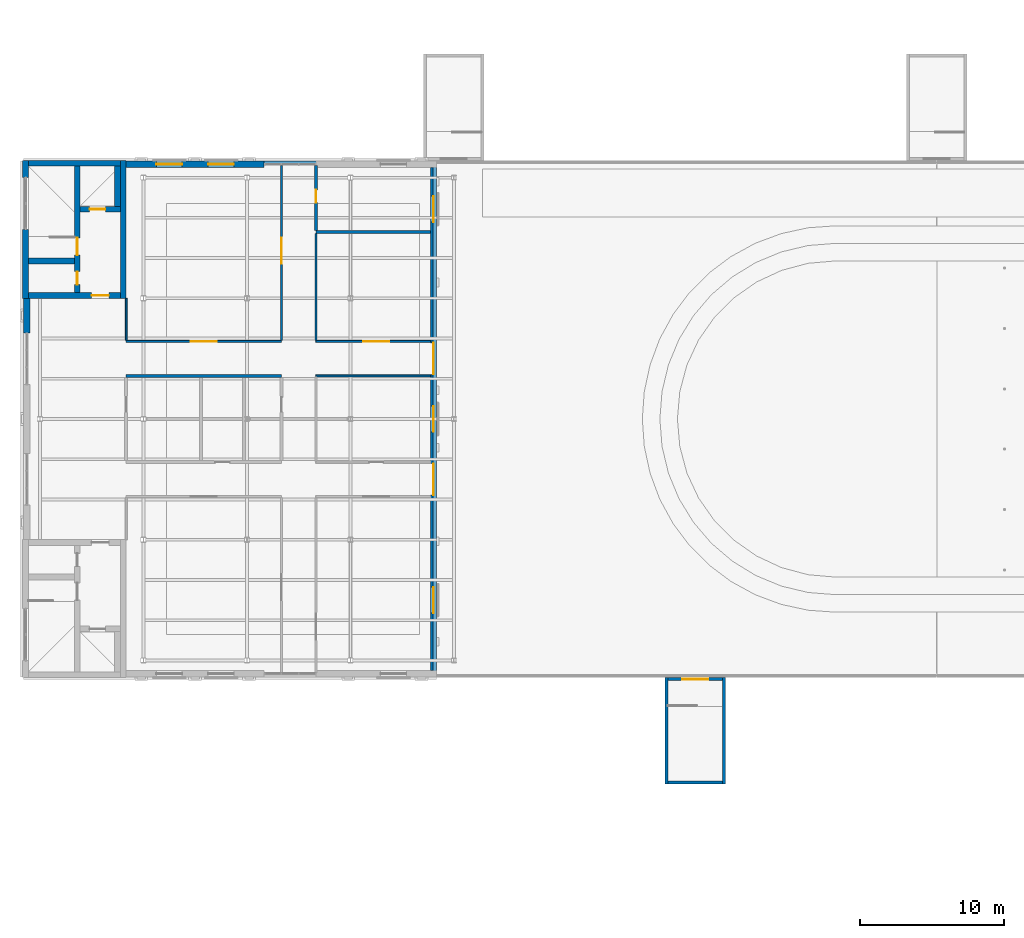
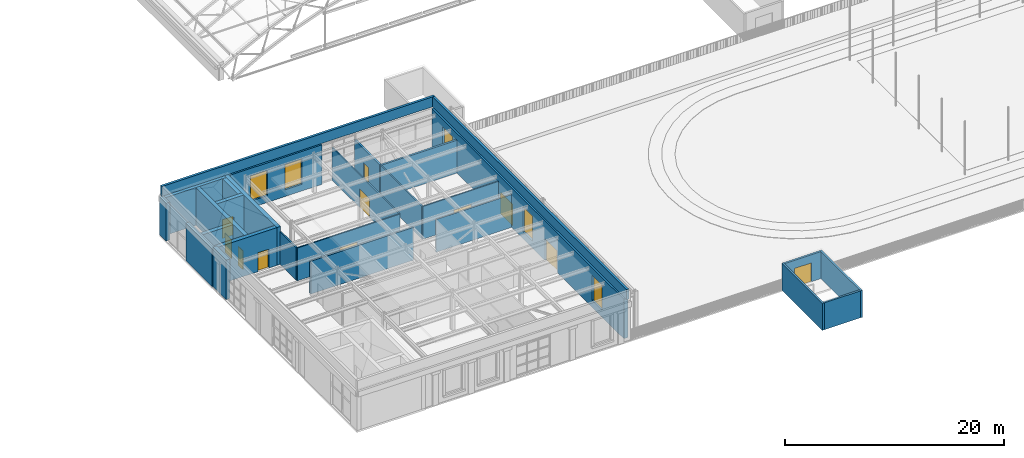
# One storey, part 72 of 127: 27 walls, 11 doors, 5 windows, 16 openings.
"""IFC4 building model written with IfcOpenShell, lengths in metres."""

from ifc_helpers import new_model, si_unit, direction, frame, frame_2d, origin, place, context, subcontext, project, spatial, rectangle, extrude, material, layer, layer_set, type_object, element, fill, save


model = new_model("IFC4")

# Units and contexts
model_context = context("Model", 3, precision=1e-05, world=origin(), true_north=direction((0.0, 1.0)))
body_context = subcontext(model_context, "Body", "Model", "MODEL_VIEW")
ifc_project = project(units=[si_unit("LENGTHUNIT", "METRE"), si_unit("AREAUNIT", "SQUARE_METRE"), si_unit("VOLUMEUNIT", "CUBIC_METRE"), si_unit("PLANEANGLEUNIT", "RADIAN"), si_unit("MASSUNIT", "GRAM", prefix="KILO")], contexts=[model_context])

# Site, building, storey
site_placement = place(None, origin())
site = spatial("IfcSite", under=ifc_project, at=site_placement, CompositionType="ELEMENT")
building_placement = place(site_placement, origin())
building = spatial("IfcBuilding", under=site, at=building_placement, Name="Verrick Yard Athletic Hall", CompositionType="ELEMENT")
storey_placement = place(building_placement, frame((0.0, 0.0, 14.0)))
storey = spatial("IfcBuildingStorey", under=building, at=storey_placement, Name="L03", CompositionType="ELEMENT", Elevation=14.0)

# Wall, openings, doors
ifc_material_1 = material(Name="Concrete 35 MPa", Category="concrete")
ifc_layer_1 = layer(ifc_material_1, 0.39990234375)
ifc_layer_set_1 = layer_set([ifc_layer_1], Name="Core wall CR400")
wall_type_1 = type_object("IfcWallType", Name="Core wall CR400", PredefinedType="SHEAR", material=ifc_layer_set_1)
wall_1_placement = place(storey_placement, frame((13.800048828125, 44.800048828125, 0.0), z_axis=(0.0, 0.0, 1.0), x_axis=(0.0, 1.0, 0.0)))
wall_1 = element("IfcWall", 1, at=wall_1_placement, inside=storey, type_object=wall_type_1, Name="CORE-CB2-WP-L03", PredefinedType="SHEAR", context=body_context, shape_type="SweptSolid", body=[
    extrude(rectangle(XDim=8.800048828125, YDim=0.39990234375, at=frame_2d((4.39990234375, 0.0))), origin(), (0.0, 0.0, 1.0), 4.199951171875),
])
opening_1_placement = place(wall_1_placement, frame((2.60009765625, 0.0, 0.0)))
opening_1 = element("IfcOpeningElement", 2, at=opening_1_placement, cuts=wall_1, Name="Opening SD1", PredefinedType="OPENING", context=body_context, shape_type="SweptSolid", body=[
    extrude(rectangle(XDim=1.199951171875, YDim=2.10009765625, at=frame_2d((0.60009765625, 1.050048828125))), frame((0.0, 0.2099609375, 0.0), z_axis=(0.0, -1.0, 0.0), x_axis=(1.0, 0.0, 0.0)), (0.0, 0.0, 1.0), 0.419921875),
])
opening_2_placement = place(wall_1_placement, frame((0.550048828125, 0.0, 0.0)))
opening_2 = element("IfcOpeningElement", 3, at=opening_2_placement, cuts=wall_1, Name="Opening RD1", PredefinedType="OPENING", context=body_context, shape_type="SweptSolid", body=[
    extrude(rectangle(XDim=0.89990234375, YDim=2.10009765625, at=frame_2d((0.449951171875, 1.050048828125))), frame((0.0, 0.2099609375, 0.0), z_axis=(0.0, -1.0, 0.0), x_axis=(1.0, 0.0, 0.0)), (0.0, 0.0, 1.0), 0.419921875),
])
ifc_material_2 = material(Name="Hollow metal door leaf")
door_type_1 = type_object("IfcDoorType", Name="Core door RD1 900x2100", OperationType="NOTDEFINED", PredefinedType="DOOR", material=ifc_material_2)
door_1_placement = place(opening_2_placement, origin())
door_1 = element("IfcDoor", 4, at=door_1_placement, inside=storey, type_object=door_type_1, Name="CORE-CB2-WP-L03-DRD1-4580", OperationType="SINGLE_SWING_RIGHT", OverallHeight=2.10009765625, OverallWidth=0.89990234375, PredefinedType="DOOR", context=body_context, shape_type="SweptSolid", body=[
    extrude(rectangle(XDim=0.89990234375, YDim=2.10009765625, at=frame_2d((0.449951171875, 1.050048828125))), frame((0.0, 0.02490234375, 0.0), z_axis=(0.0, -1.0, 0.0), x_axis=(1.0, 0.0, 0.0)), (0.0, 0.0, 1.0), 0.050048828125),
])
fill(opening_2, door_1)
door_type_2 = type_object("IfcDoorType", Name="Core door SD1 1200x2100", OperationType="NOTDEFINED", PredefinedType="DOOR", material=ifc_material_2)
door_2_placement = place(opening_1_placement, origin())
door_2 = element("IfcDoor", 5, at=door_2_placement, inside=storey, type_object=door_type_2, Name="CORE-CB2-WP-L03-DSD1-4800", OperationType="SINGLE_SWING_RIGHT", OverallHeight=2.10009765625, OverallWidth=1.199951171875, PredefinedType="DOOR", context=body_context, shape_type="SweptSolid", body=[
    extrude(rectangle(XDim=1.199951171875, YDim=2.10009765625, at=frame_2d((0.60009765625, 1.050048828125))), frame((0.0, 0.02490234375, 0.0), z_axis=(0.0, -1.0, 0.0), x_axis=(1.0, 0.0, 0.0)), (0.0, 0.0, 1.0), 0.050048828125),
])
fill(opening_1, door_2)

# Wall
wall_2_placement = place(storey_placement, frame((10.39990234375, 47.0, 0.0), z_axis=(0.0, 0.0, 1.0), x_axis=(1.0, 0.0, 0.0)))
element("IfcWall", 6, at=wall_2_placement, inside=storey, type_object=wall_type_1, Name="CORE-CB2-WSN-L03", PredefinedType="SHEAR", context=body_context, shape_type="SweptSolid", body=[
    extrude(rectangle(XDim=3.2001953125, YDim=0.39990234375, at=frame_2d((1.60009765625, 0.0))), origin(), (0.0, 0.0, 1.0), 4.199951171875),
])

# Wall, opening, door
wall_3_placement = place(storey_placement, frame((14.0, 50.60009765625, 0.0), z_axis=(0.0, 0.0, 1.0), x_axis=(1.0, 0.0, 0.0)))
wall_3 = element("IfcWall", 7, at=wall_3_placement, inside=storey, type_object=wall_type_1, Name="CORE-CB2-WLN-L03", PredefinedType="SHEAR", context=body_context, shape_type="SweptSolid", body=[
    extrude(rectangle(XDim=2.800048828125, YDim=0.39990234375, at=frame_2d((1.39990234375, 0.0))), origin(), (0.0, 0.0, 1.0), 4.199951171875),
])
opening_3_placement = place(wall_3_placement, frame((0.64990234375, 0.0, 0.0)))
opening_3 = element("IfcOpeningElement", 8, at=opening_3_placement, cuts=wall_3, Name="Opening LD", PredefinedType="OPENING", context=body_context, shape_type="SweptSolid", body=[
    extrude(rectangle(XDim=1.10009765625, YDim=2.10009765625, at=frame_2d((0.550048828125, 1.050048828125))), frame((0.0, 0.2099609375, 0.0), z_axis=(0.0, -1.0, 0.0), x_axis=(1.0, 0.0, 0.0)), (0.0, 0.0, 1.0), 0.419921875),
])
ifc_material_3 = material(Name="Stainless steel landing door", Category="steel")
door_type_3 = type_object("IfcDoorType", Name="Lift landing door LD 1100x2100", OperationType="NOTDEFINED", PredefinedType="DOOR", material=ifc_material_3)
door_3_placement = place(opening_3_placement, origin())
door_3 = element("IfcDoor", 9, at=door_3_placement, inside=storey, type_object=door_type_3, Name="Lift landing door", OperationType="SLIDING_TO_RIGHT", OverallHeight=2.10009765625, OverallWidth=1.10009765625, PredefinedType="DOOR", context=body_context, shape_type="SweptSolid", body=[
    extrude(rectangle(XDim=1.10009765625, YDim=2.10009765625, at=frame_2d((0.550048828125, 1.050048828125))), frame((0.0, 0.02490234375, 0.0), z_axis=(0.0, -1.0, 0.0), x_axis=(1.0, 0.0, 0.0)), (0.0, 0.0, 1.0), 0.050048828125),
])
fill(opening_3, door_3)

# Walls
wall_4_placement = place(storey_placement, frame((16.60009765625, 50.800048828125, 0.0), z_axis=(0.0, 0.0, 1.0), x_axis=(0.0, 1.0, 0.0)))
element("IfcWall", 10, at=wall_4_placement, inside=storey, type_object=wall_type_1, Name="CORE-CB2-WLE-L03", PredefinedType="SHEAR", context=body_context, shape_type="SweptSolid", body=[
    extrude(rectangle(XDim=2.800048828125, YDim=0.39990234375, at=frame_2d((1.39990234375, 0.0))), origin(), (0.0, 0.0, 1.0), 4.199951171875),
])
ifc_layer_2 = layer(ifc_material_1, 0.39990234375)
ifc_layer_set_2 = layer_set([ifc_layer_2], Name="External core wall CR400")
wall_type_2 = type_object("IfcWallType", Name="External core wall CR400", PredefinedType="SHEAR", material=ifc_layer_set_2)
wall_5_placement = place(storey_placement, frame((10.199951171875, 44.39990234375, 0.0), z_axis=(0.0, 0.0, 1.0), x_axis=(0.0, 1.0, 0.0)))
element("IfcWall", 11, at=wall_5_placement, inside=storey, type_object=wall_type_2, Name="CORE-CB2-WW-L03-0", PredefinedType="SHEAR", context=body_context, shape_type="SweptSolid", body=[
    extrude(rectangle(XDim=4.800048828125, YDim=0.39990234375, at=frame_2d((2.39990234375, 0.0))), origin(), (0.0, 0.0, 1.0), 4.199951171875),
])
wall_6_placement = place(storey_placement, frame((10.199951171875, 52.800048828125, 0.0), z_axis=(0.0, 0.0, 1.0), x_axis=(0.0, 1.0, 0.0)))
element("IfcWall", 12, at=wall_6_placement, inside=storey, type_object=wall_type_2, Name="CORE-CB2-WW-L03-1", PredefinedType="SHEAR", context=body_context, shape_type="SweptSolid", body=[
    extrude(rectangle(XDim=1.199951171875, YDim=0.39990234375, at=frame_2d((0.60009765625, 0.0))), origin(), (0.0, 0.0, 1.0), 4.199951171875),
])
wall_7_placement = place(storey_placement, frame((17.0, 44.39990234375, 0.0), z_axis=(0.0, 0.0, 1.0), x_axis=(0.0, 1.0, 0.0)))
element("IfcWall", 13, at=wall_7_placement, inside=storey, type_object=wall_type_2, Name="CORE-CB2-WE-L03", PredefinedType="SHEAR", context=body_context, shape_type="SweptSolid", body=[
    extrude(rectangle(XDim=9.60009765625, YDim=0.39990234375, at=frame_2d((4.800048828125, 0.0))), origin(), (0.0, 0.0, 1.0), 4.199951171875),
])
wall_8_placement = place(storey_placement, frame((10.39990234375, 53.800048828125, 0.0), z_axis=(0.0, 0.0, 1.0), x_axis=(1.0, 0.0, 0.0)))
element("IfcWall", 14, at=wall_8_placement, inside=storey, type_object=wall_type_2, Name="CORE-CB2-WS-L03", PredefinedType="SHEAR", context=body_context, shape_type="SweptSolid", body=[
    extrude(rectangle(XDim=6.400146484375, YDim=0.39990234375, at=frame_2d((3.2001953125, 0.0))), origin(), (0.0, 0.0, 1.0), 4.199951171875),
])

# Wall, opening, door
wall_9_placement = place(storey_placement, frame((10.39990234375, 44.60009765625, 0.0), z_axis=(0.0, 0.0, 1.0), x_axis=(1.0, 0.0, 0.0)))
wall_9 = element("IfcWall", 15, at=wall_9_placement, inside=storey, type_object=wall_type_2, Name="CORE-CB2-WN-L03", PredefinedType="SHEAR", context=body_context, shape_type="SweptSolid", body=[
    extrude(rectangle(XDim=6.400146484375, YDim=0.39990234375, at=frame_2d((3.2001953125, 0.0))), origin(), (0.0, 0.0, 1.0), 4.199951171875),
])
opening_4_placement = place(wall_9_placement, frame((4.39990234375, 0.0, 0.0)))
opening_4 = element("IfcOpeningElement", 16, at=opening_4_placement, cuts=wall_9, Name="Opening LB1", PredefinedType="OPENING", context=body_context, shape_type="SweptSolid", body=[
    extrude(rectangle(XDim=1.199951171875, YDim=2.10009765625, at=frame_2d((0.60009765625, 1.050048828125))), frame((0.0, 0.2099609375, 0.0), z_axis=(0.0, -1.0, 0.0), x_axis=(1.0, 0.0, 0.0)), (0.0, 0.0, 1.0), 0.419921875),
])
door_type_4 = type_object("IfcDoorType", Name="Core door LB1 1200x2100", OperationType="NOTDEFINED", PredefinedType="DOOR", material=ifc_material_2)
door_4_placement = place(opening_4_placement, origin())
door_4 = element("IfcDoor", 17, at=door_4_placement, inside=storey, type_object=door_type_4, Name="CORE-CB2-WN-L03-DLB1-1540", OperationType="SINGLE_SWING_RIGHT", OverallHeight=2.10009765625, OverallWidth=1.199951171875, PredefinedType="DOOR", context=body_context, shape_type="SweptSolid", body=[
    extrude(rectangle(XDim=1.199951171875, YDim=2.10009765625, at=frame_2d((0.60009765625, 1.050048828125))), frame((0.0, 0.02490234375, 0.0), z_axis=(0.0, -1.0, 0.0), x_axis=(1.0, 0.0, 0.0)), (0.0, 0.0, 1.0), 0.050048828125),
])
fill(opening_4, door_4)

# Walls
ifc_layer_3 = layer(ifc_material_1, 0.199951171875)
ifc_layer_set_3 = layer_set([ifc_layer_3], Name="External enclosure wall CR200")
wall_type_3 = type_object("IfcWallType", Name="External enclosure wall CR200", PredefinedType="SOLIDWALL", material=ifc_layer_set_3)
for number, where, z_axis, x_axis, name in (
    (18, (54.800048828125, 10.60009765625, 0.0), (0.0, 0.0, 1.0), (0.0, 1.0, 0.0), "CORE-DT-S1-WW-L03"),
    (19, (58.800048828125, 18.0, 0.0), (0.0, 0.0, 1.0), (0.0, -1.0, 0.0), "CORE-DT-S1-WE-L03"),
):
    element("IfcWall", number, at=place(storey_placement, frame(where, z_axis=z_axis, x_axis=x_axis)), inside=storey, type_object=wall_type_3, Name=name, PredefinedType="SOLIDWALL", context=body_context, shape_type="SweptSolid", body=[
        extrude(rectangle(XDim=7.39990234375, YDim=0.199951171875, at=frame_2d((3.699951171875, 0.0))), origin(), (0.0, 0.0, 1.0), 3.0),
    ])
wall_10_placement = place(storey_placement, frame((54.89990234375, 10.699951171875, 0.0), z_axis=(0.0, 0.0, 1.0), x_axis=(1.0, 0.0, 0.0)))
element("IfcWall", 20, at=wall_10_placement, inside=storey, type_object=wall_type_3, Name="CORE-DT-S1-WS-L03", PredefinedType="SOLIDWALL", context=body_context, shape_type="SweptSolid", body=[
    extrude(rectangle(XDim=3.800048828125, YDim=0.199951171875, at=frame_2d((1.89990234375, 0.0))), origin(), (0.0, 0.0, 1.0), 3.0),
])

# Wall, opening, door
wall_11_placement = place(storey_placement, frame((54.89990234375, 17.89990234375, 0.0), z_axis=(0.0, 0.0, 1.0), x_axis=(1.0, 0.0, 0.0)))
wall_11 = element("IfcWall", 21, at=wall_11_placement, inside=storey, type_object=wall_type_3, Name="CORE-DT-S1-WN-L03", PredefinedType="SOLIDWALL", context=body_context, shape_type="SweptSolid", body=[
    extrude(rectangle(XDim=3.800048828125, YDim=0.199951171875, at=frame_2d((1.89990234375, 0.0))), origin(), (0.0, 0.0, 1.0), 3.0),
])
opening_5_placement = place(wall_11_placement, frame((1.0, 0.0, 0.0)))
opening_5 = element("IfcOpeningElement", 22, at=opening_5_placement, cuts=wall_11, Name="Opening XD2", PredefinedType="OPENING", context=body_context, shape_type="SweptSolid", body=[
    extrude(rectangle(XDim=1.800048828125, YDim=2.10009765625, at=frame_2d((0.89990234375, 1.050048828125))), frame((0.0, 0.10986328125, 0.0), z_axis=(0.0, -1.0, 0.0), x_axis=(1.0, 0.0, 0.0)), (0.0, 0.0, 1.0), 0.219970703125),
])
ifc_material_4 = material(Name="Aluminium door leaf", Category="aluminium")
door_type_5 = type_object("IfcDoorType", Name="Core door XD2 1800x2100", OperationType="NOTDEFINED", PredefinedType="DOOR", material=ifc_material_4)
door_5_placement = place(opening_5_placement, origin())
door_5 = element("IfcDoor", 23, at=door_5_placement, inside=storey, type_object=door_type_5, Name="CORE-DT-S1-WN-L03-DXD2-5680", OperationType="DOUBLE_DOOR_SINGLE_SWING", OverallHeight=2.10009765625, OverallWidth=1.800048828125, PredefinedType="DOOR", context=body_context, shape_type="SweptSolid", body=[
    extrude(rectangle(XDim=1.800048828125, YDim=2.10009765625, at=frame_2d((0.89990234375, 1.050048828125))), frame((0.0, 0.02490234375, 0.0), z_axis=(0.0, -1.0, 0.0), x_axis=(1.0, 0.0, 0.0)), (0.0, 0.0, 1.0), 0.050048828125),
])
fill(opening_5, door_5)

# Walls
ifc_material_5 = material(Name="Concrete masonry block 15 MPa", Category="masonry")
ifc_layer_4 = layer(ifc_material_5, 0.199951171875)
ifc_layer_set_4 = layer_set([ifc_layer_4], Name="PW1 Block partition 200")
wall_type_4 = type_object("IfcWallType", Name="PW1 Block partition 200", PredefinedType="PARTITIONING", material=ifc_layer_set_4)
wall_12_placement = place(storey_placement, frame((17.199951171875, 39.0, 0.0), z_axis=(0.0, 0.0, 1.0), x_axis=(1.0, 0.0, 0.0)))
element("IfcWall", 24, at=wall_12_placement, inside=storey, type_object=wall_type_4, Name="Partition PW1", PredefinedType="PARTITIONING", context=body_context, shape_type="SweptSolid", body=[
    extrude(rectangle(XDim=10.800048828125, YDim=0.199951171875, at=frame_2d((5.39990234375, 0.0))), origin(), (0.0, 0.0, 1.0), 3.64990234375),
])
wall_13_placement = place(storey_placement, frame((30.39990234375, 49.0, 0.0), z_axis=(0.0, 0.0, 1.0), x_axis=(1.0, 0.0, 0.0)))
element("IfcWall", 25, at=wall_13_placement, inside=storey, type_object=wall_type_4, Name="Partition PW1", PredefinedType="PARTITIONING", context=body_context, shape_type="SweptSolid", body=[
    extrude(rectangle(XDim=7.97265625, YDim=0.199951171875, at=frame_2d((3.986328125, 0.0))), origin(), (0.0, 0.0, 1.0), 3.64990234375),
])

# Wall, opening, door
wall_14_placement = place(storey_placement, frame((30.39990234375, 49.10009765625, 0.0), z_axis=(0.0, 0.0, 1.0), x_axis=(0.0, 1.0, 0.0)))
wall_14 = element("IfcWall", 26, at=wall_14_placement, inside=storey, type_object=wall_type_4, Name="Partition PW1", PredefinedType="PARTITIONING", context=body_context, shape_type="SweptSolid", body=[
    extrude(rectangle(XDim=4.548583984375, YDim=0.199951171875, at=frame_2d((2.2744140625, 0.0))), origin(), (0.0, 0.0, 1.0), 3.64990234375),
])
opening_6_placement = place(wall_14_placement, frame((1.949951171875, 0.0, 0.0)))
opening_6 = element("IfcOpeningElement", 27, at=opening_6_placement, cuts=wall_14, Name="Opening D2", PredefinedType="OPENING", context=body_context, shape_type="SweptSolid", body=[
    extrude(rectangle(XDim=0.89990234375, YDim=2.10009765625, at=frame_2d((0.449951171875, 1.050048828125))), frame((0.0, 0.10986328125, 0.0), z_axis=(0.0, -1.0, 0.0), x_axis=(1.0, 0.0, 0.0)), (0.0, 0.0, 1.0), 0.219970703125),
])
ifc_material_6 = material(Name="Timber door leaf in steel frame", Category="steel")
door_type_6 = type_object("IfcDoorType", Name="D2 Single door 900 x 2100", OperationType="NOTDEFINED", PredefinedType="DOOR", material=ifc_material_6)
door_6_placement = place(opening_6_placement, origin())
door_6 = element("IfcDoor", 28, at=door_6_placement, inside=storey, type_object=door_type_6, Name="D2 Weights Store", OperationType="SINGLE_SWING_LEFT", OverallHeight=2.10009765625, OverallWidth=0.89990234375, PredefinedType="DOOR", context=body_context, shape_type="SweptSolid", body=[
    extrude(rectangle(XDim=0.89990234375, YDim=2.10009765625, at=frame_2d((0.449951171875, 1.050048828125))), frame((0.0, 0.02490234375, 0.0), z_axis=(0.0, -1.0, 0.0), x_axis=(1.0, 0.0, 0.0)), (0.0, 0.0, 1.0), 0.050048828125),
])
fill(opening_6, door_6)

# Wall
ifc_material_7 = material(Name="Gypsum plasterboard on light-gauge studs")
ifc_layer_5 = layer(ifc_material_7, 0.125)
ifc_layer_set_5 = layer_set([ifc_layer_5], Name="PW2 Stud partition 125")
wall_type_5 = type_object("IfcWallType", Name="PW2 Stud partition 125", PredefinedType="PARTITIONING", material=ifc_layer_set_5)
wall_15_placement = place(storey_placement, frame((30.39990234375, 39.0, 0.0), z_axis=(0.0, 0.0, 1.0), x_axis=(1.0, 0.0, 0.0)))
element("IfcWall", 29, at=wall_15_placement, inside=storey, type_object=wall_type_5, Name="Partition PW2", PredefinedType="PARTITIONING", context=body_context, shape_type="SweptSolid", body=[
    extrude(rectangle(XDim=7.97265625, YDim=0.125, at=frame_2d((3.986328125, 0.0))), origin(), (0.0, 0.0, 1.0), 3.64990234375),
])

# Wall, opening, door
wall_16_placement = place(storey_placement, frame((17.199951171875, 41.39990234375, 0.0), z_axis=(0.0, 0.0, 1.0), x_axis=(1.0, 0.0, 0.0)))
wall_16 = element("IfcWall", 30, at=wall_16_placement, inside=storey, type_object=wall_type_5, Name="Partition PW2", PredefinedType="PARTITIONING", context=body_context, shape_type="SweptSolid", body=[
    extrude(rectangle(XDim=10.800048828125, YDim=0.125, at=frame_2d((5.39990234375, 0.0))), origin(), (0.0, 0.0, 1.0), 3.64990234375),
])
opening_7_placement = place(wall_16_placement, frame((4.5, 0.0, 0.0)))
opening_7 = element("IfcOpeningElement", 31, at=opening_7_placement, cuts=wall_16, Name="Opening D3", PredefinedType="OPENING", context=body_context, shape_type="SweptSolid", body=[
    extrude(rectangle(XDim=1.800048828125, YDim=2.10009765625, at=frame_2d((0.89990234375, 1.050048828125))), frame((0.0, 0.072509765625, 0.0), z_axis=(0.0, -1.0, 0.0), x_axis=(1.0, 0.0, 0.0)), (0.0, 0.0, 1.0), 0.14501953125),
])
door_type_7 = type_object("IfcDoorType", Name="D3 Double door 1800 x 2100", OperationType="NOTDEFINED", PredefinedType="DOOR", material=ifc_material_6)
door_7_placement = place(opening_7_placement, origin())
door_7 = element("IfcDoor", 32, at=door_7_placement, inside=storey, type_object=door_type_7, Name="D3 Stretching Studio", OperationType="DOUBLE_DOOR_SINGLE_SWING", OverallHeight=2.10009765625, OverallWidth=1.800048828125, PredefinedType="DOOR", context=body_context, shape_type="SweptSolid", body=[
    extrude(rectangle(XDim=1.800048828125, YDim=2.10009765625, at=frame_2d((0.89990234375, 1.050048828125))), frame((0.0, 0.02490234375, 0.0), z_axis=(0.0, -1.0, 0.0), x_axis=(1.0, 0.0, 0.0)), (0.0, 0.0, 1.0), 0.050048828125),
])
fill(opening_7, door_7)

wall_17_placement = place(storey_placement, frame((30.39990234375, 41.39990234375, 0.0), z_axis=(0.0, 0.0, 1.0), x_axis=(1.0, 0.0, 0.0)))
wall_17 = element("IfcWall", 33, at=wall_17_placement, inside=storey, type_object=wall_type_5, Name="Partition PW2", PredefinedType="PARTITIONING", context=body_context, shape_type="SweptSolid", body=[
    extrude(rectangle(XDim=7.97265625, YDim=0.125, at=frame_2d((3.986328125, 0.0))), origin(), (0.0, 0.0, 1.0), 3.64990234375),
])
opening_8_placement = place(wall_17_placement, frame((3.300048828125, 0.0, 0.0)))
opening_8 = element("IfcOpeningElement", 34, at=opening_8_placement, cuts=wall_17, Name="Opening D3", PredefinedType="OPENING", context=body_context, shape_type="SweptSolid", body=[
    extrude(rectangle(XDim=1.800048828125, YDim=2.10009765625, at=frame_2d((0.89990234375, 1.050048828125))), frame((0.0, 0.072509765625, 0.0), z_axis=(0.0, -1.0, 0.0), x_axis=(1.0, 0.0, 0.0)), (0.0, 0.0, 1.0), 0.14501953125),
])
door_8_placement = place(opening_8_placement, origin())
door_8 = element("IfcDoor", 35, at=door_8_placement, inside=storey, type_object=door_type_7, Name="D3 Sports Lounge", OperationType="DOUBLE_DOOR_SINGLE_SWING", OverallHeight=2.10009765625, OverallWidth=1.800048828125, PredefinedType="DOOR", context=body_context, shape_type="SweptSolid", body=[
    extrude(rectangle(XDim=1.800048828125, YDim=2.10009765625, at=frame_2d((0.89990234375, 1.050048828125))), frame((0.0, 0.02490234375, 0.0), z_axis=(0.0, -1.0, 0.0), x_axis=(1.0, 0.0, 0.0)), (0.0, 0.0, 1.0), 0.050048828125),
])
fill(opening_8, door_8)

# Wall
wall_18_placement = place(storey_placement, frame((17.199951171875, 41.46240234375, 0.0), z_axis=(0.0, 0.0, 1.0), x_axis=(0.0, 1.0, 0.0)))
element("IfcWall", 36, at=wall_18_placement, inside=storey, type_object=wall_type_5, Name="Partition PW2", PredefinedType="PARTITIONING", context=body_context, shape_type="SweptSolid", body=[
    extrude(rectangle(XDim=2.9375, YDim=0.125, at=frame_2d((1.46875, 0.0))), origin(), (0.0, 0.0, 1.0), 3.64990234375),
])

# Wall, opening, door
wall_19_placement = place(storey_placement, frame((28.0, 41.46240234375, 0.0), z_axis=(0.0, 0.0, 1.0), x_axis=(0.0, 1.0, 0.0)))
wall_19 = element("IfcWall", 37, at=wall_19_placement, inside=storey, type_object=wall_type_5, Name="Partition PW2", PredefinedType="PARTITIONING", context=body_context, shape_type="SweptSolid", body=[
    extrude(rectangle(XDim=12.186279296875, YDim=0.125, at=frame_2d((6.09326171875, 0.0))), origin(), (0.0, 0.0, 1.0), 3.64990234375),
])
opening_9_placement = place(wall_19_placement, frame((5.337890625, 0.0, 0.0)))
opening_9 = element("IfcOpeningElement", 38, at=opening_9_placement, cuts=wall_19, Name="Opening D3", PredefinedType="OPENING", context=body_context, shape_type="SweptSolid", body=[
    extrude(rectangle(XDim=1.800048828125, YDim=2.10009765625, at=frame_2d((0.89990234375, 1.050048828125))), frame((0.0, 0.072509765625, 0.0), z_axis=(0.0, -1.0, 0.0), x_axis=(1.0, 0.0, 0.0)), (0.0, 0.0, 1.0), 0.14501953125),
])
door_9_placement = place(opening_9_placement, origin())
door_9 = element("IfcDoor", 39, at=door_9_placement, inside=storey, type_object=door_type_7, Name="D3 Stretching Studio", OperationType="DOUBLE_DOOR_SINGLE_SWING", OverallHeight=2.10009765625, OverallWidth=1.800048828125, PredefinedType="DOOR", context=body_context, shape_type="SweptSolid", body=[
    extrude(rectangle(XDim=1.800048828125, YDim=2.10009765625, at=frame_2d((0.89990234375, 1.050048828125))), frame((0.0, 0.02490234375, 0.0), z_axis=(0.0, -1.0, 0.0), x_axis=(1.0, 0.0, 0.0)), (0.0, 0.0, 1.0), 0.050048828125),
])
fill(opening_9, door_9)

# Walls
wall_20_placement = place(storey_placement, frame((30.39990234375, 41.46240234375, 0.0), z_axis=(0.0, 0.0, 1.0), x_axis=(0.0, 1.0, 0.0)))
element("IfcWall", 40, at=wall_20_placement, inside=storey, type_object=wall_type_5, Name="Partition PW2", PredefinedType="PARTITIONING", context=body_context, shape_type="SweptSolid", body=[
    extrude(rectangle(XDim=7.4375, YDim=0.125, at=frame_2d((3.71875, 0.0))), origin(), (0.0, 0.0, 1.0), 3.64990234375),
])
ifc_material_8 = material(Name="Tyndall-stone-look precast cladding", Category="masonry")
ifc_layer_6 = layer(ifc_material_8, 0.0625, Name="Tyndall-stone-look precast cladding")
ifc_layer_7 = layer(ifc_material_1, 0.1875, Name="Concrete 35 MPa")
ifc_layer_set_6 = layer_set([ifc_layer_6, ifc_layer_7], Name="Parapet wall")
wall_type_6 = type_object("IfcWallType", Name="Parapet wall", PredefinedType="PARAPET", material=ifc_layer_set_6)
wall_21_placement = place(storey_placement, frame((10.0625, 53.8125, 4.39990234375), z_axis=(0.0, 0.0, 1.0), x_axis=(1.0, 0.0, 0.0)))
element("IfcWall", 41, at=wall_21_placement, inside=storey, type_object=wall_type_6, Name="ENVB-WP-N", PredefinedType="PARAPET", context=body_context, shape_type="SweptSolid", body=[
    extrude(rectangle(XDim=28.737548828125, YDim=0.25, at=frame_2d((14.36865234375, 0.0))), origin(), (0.0, 0.0, 1.0), 1.10009765625),
])
wall_22_placement = place(storey_placement, frame((38.675048828125, 18.3125, 4.39990234375), z_axis=(0.0, 0.0, 1.0), x_axis=(0.0, 1.0, 0.0)))
element("IfcWall", 42, at=wall_22_placement, inside=storey, type_object=wall_type_6, Name="ENVB-WP-E", PredefinedType="PARAPET", context=body_context, shape_type="SweptSolid", body=[
    extrude(rectangle(XDim=35.375, YDim=0.25, at=frame_2d((17.6875, 0.0))), origin(), (0.0, 0.0, 1.0), 1.10009765625),
])

# Wall, openings, windows
ifc_material_9 = material(Name="Clay face brick, red-brown", Category="masonry")
ifc_layer_8 = layer(ifc_material_9, 0.0625, Name="Clay face brick, red-brown")
ifc_material_10 = material(Name="Mineral wool insulation")
ifc_layer_9 = layer(ifc_material_10, 0.125, Name="Mineral wool insulation")
ifc_layer_10 = layer(ifc_material_1, 0.25, Name="Concrete 35 MPa")
ifc_layer_set_7 = layer_set([ifc_layer_8, ifc_layer_9, ifc_layer_10], Name="Wing upper wall")
wall_type_7 = type_object("IfcWallType", Name="Wing upper wall", PredefinedType="SOLIDWALL", material=ifc_layer_set_7)
wall_23_placement = place(storey_placement, frame((17.199951171875, 53.71875, 0.0), z_axis=(0.0, 0.0, 1.0), x_axis=(1.0, 0.0, 0.0)))
wall_23 = element("IfcWall", 43, at=wall_23_placement, inside=storey, type_object=wall_type_7, Name="ENVB-WN-L03-1", PredefinedType="SOLIDWALL", context=body_context, shape_type="SweptSolid", body=[
    extrude(rectangle(XDim=9.60009765625, YDim=0.4375, at=frame_2d((4.800048828125, 0.0))), origin(), (0.0, 0.0, 1.0), 4.39990234375),
])
opening_10_placement = place(wall_23_placement, frame((2.10009765625, 0.0, 0.75)))
opening_10 = element("IfcOpeningElement", 44, at=opening_10_placement, cuts=wall_23, Name="Opening W22", PredefinedType="OPENING", context=body_context, shape_type="SweptSolid", body=[
    extrude(rectangle(XDim=1.800048828125, YDim=2.800048828125, at=frame_2d((0.89990234375, 1.39990234375))), frame((0.0, 0.228759765625, 0.0), z_axis=(0.0, -1.0, 0.0), x_axis=(1.0, 0.0, 0.0)), (0.0, 0.0, 1.0), 0.45751953125),
])
opening_11_placement = place(wall_23_placement, frame((5.699951171875, 0.0, 0.75)))
opening_11 = element("IfcOpeningElement", 45, at=opening_11_placement, cuts=wall_23, Name="Opening W22", PredefinedType="OPENING", context=body_context, shape_type="SweptSolid", body=[
    extrude(rectangle(XDim=1.800048828125, YDim=2.800048828125, at=frame_2d((0.89990234375, 1.39990234375))), frame((0.0, 0.228759765625, 0.0), z_axis=(0.0, -1.0, 0.0), x_axis=(1.0, 0.0, 0.0)), (0.0, 0.0, 1.0), 0.45751953125),
])
ifc_material_11 = material(Name="Anodised aluminium frame with insulated glazing", Category="aluminium")
window_type = type_object("IfcWindowType", Name="Wing window 1800x2800", PartitioningType="NOTDEFINED", PredefinedType="WINDOW", material=ifc_material_11)
window_1_placement = place(opening_10_placement, origin())
window_1 = element("IfcWindow", 46, at=window_1_placement, inside=storey, type_object=window_type, Name="ENVB-WN-L03-1-W202", OverallHeight=2.800048828125, OverallWidth=1.800048828125, PartitioningType="SINGLE_PANEL", PredefinedType="WINDOW", context=body_context, shape_type="SweptSolid", body=[
    extrude(rectangle(XDim=1.800048828125, YDim=2.800048828125, at=frame_2d((0.89990234375, 1.39990234375))), frame((0.0, 0.030029296875, 0.0), z_axis=(0.0, -1.0, 0.0), x_axis=(1.0, 0.0, 0.0)), (0.0, 0.0, 1.0), 0.06005859375),
])
fill(opening_10, window_1)
window_2_placement = place(opening_11_placement, origin())
window_2 = element("IfcWindow", 47, at=window_2_placement, inside=storey, type_object=window_type, Name="ENVB-WN-L03-1-W238", OverallHeight=2.800048828125, OverallWidth=1.800048828125, PartitioningType="SINGLE_PANEL", PredefinedType="WINDOW", context=body_context, shape_type="SweptSolid", body=[
    extrude(rectangle(XDim=1.800048828125, YDim=2.800048828125, at=frame_2d((0.89990234375, 1.39990234375))), frame((0.0, 0.030029296875, 0.0), z_axis=(0.0, -1.0, 0.0), x_axis=(1.0, 0.0, 0.0)), (0.0, 0.0, 1.0), 0.06005859375),
])
fill(opening_11, window_2)

# Wall
wall_24_placement = place(storey_placement, frame((10.28125, 42.0, 0.0), z_axis=(0.0, 0.0, 1.0), x_axis=(0.0, 1.0, 0.0)))
element("IfcWall", 48, at=wall_24_placement, inside=storey, type_object=wall_type_7, Name="ENVB-WW-L03-3", PredefinedType="SOLIDWALL", context=body_context, shape_type="SweptSolid", body=[
    extrude(rectangle(XDim=2.39990234375, YDim=0.4375, at=frame_2d((1.199951171875, 0.0))), origin(), (0.0, 0.0, 1.0), 4.39990234375),
])

# Wall, openings, doors, windows
wall_25_placement = place(storey_placement, frame((38.581298828125, 18.5, 0.0), z_axis=(0.0, 0.0, 1.0), x_axis=(0.0, 1.0, 0.0)))
wall_25 = element("IfcWall", 49, at=wall_25_placement, inside=storey, type_object=wall_type_7, Name="ENVB-WE-L03-1", PredefinedType="SOLIDWALL", context=body_context, shape_type="SweptSolid", body=[
    extrude(rectangle(XDim=35.0, YDim=0.4375, at=frame_2d((17.5, 0.0))), origin(), (0.0, 0.0, 1.0), 4.39990234375),
])
opening_12_placement = place(wall_25_placement, frame((16.60009765625, 0.0, 0.75)))
opening_12 = element("IfcOpeningElement", 50, at=opening_12_placement, cuts=wall_25, Name="Opening W22", PredefinedType="OPENING", context=body_context, shape_type="SweptSolid", body=[
    extrude(rectangle(XDim=1.800048828125, YDim=2.800048828125, at=frame_2d((0.89990234375, 1.39990234375))), frame((0.0, 0.228759765625, 0.0), z_axis=(0.0, -1.0, 0.0), x_axis=(1.0, 0.0, 0.0)), (0.0, 0.0, 1.0), 0.45751953125),
])
opening_13_placement = place(wall_25_placement, frame((4.0, 0.0, 0.75)))
opening_13 = element("IfcOpeningElement", 51, at=opening_13_placement, cuts=wall_25, Name="Opening W22", PredefinedType="OPENING", context=body_context, shape_type="SweptSolid", body=[
    extrude(rectangle(XDim=1.800048828125, YDim=2.800048828125, at=frame_2d((0.89990234375, 1.39990234375))), frame((0.0, 0.228759765625, 0.0), z_axis=(0.0, -1.0, 0.0), x_axis=(1.0, 0.0, 0.0)), (0.0, 0.0, 1.0), 0.45751953125),
])
opening_14_placement = place(wall_25_placement, frame((31.199951171875, 0.0, 0.75)))
opening_14 = element("IfcOpeningElement", 52, at=opening_14_placement, cuts=wall_25, Name="Opening W22", PredefinedType="OPENING", context=body_context, shape_type="SweptSolid", body=[
    extrude(rectangle(XDim=1.800048828125, YDim=2.800048828125, at=frame_2d((0.89990234375, 1.39990234375))), frame((0.0, 0.228759765625, 0.0), z_axis=(0.0, -1.0, 0.0), x_axis=(1.0, 0.0, 0.0)), (0.0, 0.0, 1.0), 0.45751953125),
])
opening_15_placement = place(wall_25_placement, frame((12.199951171875, 0.0, 0.0)))
opening_15 = element("IfcOpeningElement", 53, at=opening_15_placement, cuts=wall_25, Name="Opening ED23", PredefinedType="OPENING", context=body_context, shape_type="SweptSolid", body=[
    extrude(rectangle(XDim=2.199951171875, YDim=2.39990234375, at=frame_2d((1.10009765625, 1.199951171875))), frame((0.0, 0.228759765625, 0.0), z_axis=(0.0, -1.0, 0.0), x_axis=(1.0, 0.0, 0.0)), (0.0, 0.0, 1.0), 0.45751953125),
])
opening_16_placement = place(wall_25_placement, frame((20.60009765625, 0.0, 0.0)))
opening_16 = element("IfcOpeningElement", 54, at=opening_16_placement, cuts=wall_25, Name="Opening ED23", PredefinedType="OPENING", context=body_context, shape_type="SweptSolid", body=[
    extrude(rectangle(XDim=2.199951171875, YDim=2.39990234375, at=frame_2d((1.10009765625, 1.199951171875))), frame((0.0, 0.228759765625, 0.0), z_axis=(0.0, -1.0, 0.0), x_axis=(1.0, 0.0, 0.0)), (0.0, 0.0, 1.0), 0.45751953125),
])
ifc_material_12 = material(Name="Powder-coated aluminium door leaf", Category="aluminium")
door_type_8 = type_object("IfcDoorType", Name="Exterior double door 2200", OperationType="NOTDEFINED", PredefinedType="DOOR", material=ifc_material_12)
door_10_placement = place(opening_15_placement, origin())
door_10 = element("IfcDoor", 55, at=door_10_placement, inside=storey, type_object=door_type_8, Name="Wing deck door 1", OperationType="DOUBLE_DOOR_SINGLE_SWING", OverallHeight=2.39990234375, OverallWidth=2.199951171875, PredefinedType="DOOR", context=body_context, shape_type="SweptSolid", body=[
    extrude(rectangle(XDim=2.199951171875, YDim=2.39990234375, at=frame_2d((1.10009765625, 1.199951171875))), frame((0.0, 0.02490234375, 0.0), z_axis=(0.0, -1.0, 0.0), x_axis=(1.0, 0.0, 0.0)), (0.0, 0.0, 1.0), 0.050048828125),
])
fill(opening_15, door_10)
door_11_placement = place(opening_16_placement, origin())
door_11 = element("IfcDoor", 56, at=door_11_placement, inside=storey, type_object=door_type_8, Name="Wing deck door 2", OperationType="DOUBLE_DOOR_SINGLE_SWING", OverallHeight=2.39990234375, OverallWidth=2.199951171875, PredefinedType="DOOR", context=body_context, shape_type="SweptSolid", body=[
    extrude(rectangle(XDim=2.199951171875, YDim=2.39990234375, at=frame_2d((1.10009765625, 1.199951171875))), frame((0.0, 0.02490234375, 0.0), z_axis=(0.0, -1.0, 0.0), x_axis=(1.0, 0.0, 0.0)), (0.0, 0.0, 1.0), 0.050048828125),
])
fill(opening_16, door_11)
window_3_placement = place(opening_12_placement, origin())
window_3 = element("IfcWindow", 57, at=window_3_placement, inside=storey, type_object=window_type, Name="ENVB-WE-L03-1-W360", OverallHeight=2.800048828125, OverallWidth=1.800048828125, PartitioningType="SINGLE_PANEL", PredefinedType="WINDOW", context=body_context, shape_type="SweptSolid", body=[
    extrude(rectangle(XDim=1.800048828125, YDim=2.800048828125, at=frame_2d((0.89990234375, 1.39990234375))), frame((0.0, 0.030029296875, 0.0), z_axis=(0.0, -1.0, 0.0), x_axis=(1.0, 0.0, 0.0)), (0.0, 0.0, 1.0), 0.06005859375),
])
fill(opening_12, window_3)
window_4_placement = place(opening_13_placement, origin())
window_4 = element("IfcWindow", 58, at=window_4_placement, inside=storey, type_object=window_type, Name="ENVB-WE-L03-1-W234", OverallHeight=2.800048828125, OverallWidth=1.800048828125, PartitioningType="SINGLE_PANEL", PredefinedType="WINDOW", context=body_context, shape_type="SweptSolid", body=[
    extrude(rectangle(XDim=1.800048828125, YDim=2.800048828125, at=frame_2d((0.89990234375, 1.39990234375))), frame((0.0, 0.030029296875, 0.0), z_axis=(0.0, -1.0, 0.0), x_axis=(1.0, 0.0, 0.0)), (0.0, 0.0, 1.0), 0.06005859375),
])
fill(opening_13, window_4)
window_5_placement = place(opening_14_placement, origin())
window_5 = element("IfcWindow", 59, at=window_5_placement, inside=storey, type_object=window_type, Name="ENVB-WE-L03-1-W506", OverallHeight=2.800048828125, OverallWidth=1.800048828125, PartitioningType="SINGLE_PANEL", PredefinedType="WINDOW", context=body_context, shape_type="SweptSolid", body=[
    extrude(rectangle(XDim=1.800048828125, YDim=2.800048828125, at=frame_2d((0.89990234375, 1.39990234375))), frame((0.0, 0.030029296875, 0.0), z_axis=(0.0, -1.0, 0.0), x_axis=(1.0, 0.0, 0.0)), (0.0, 0.0, 1.0), 0.06005859375),
])
fill(opening_14, window_5)

save(model, "model.ifc")
